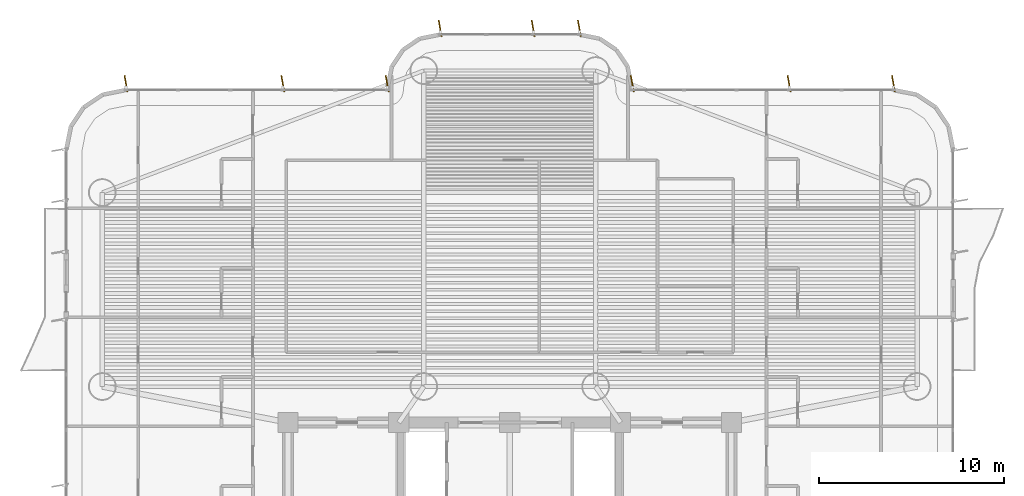
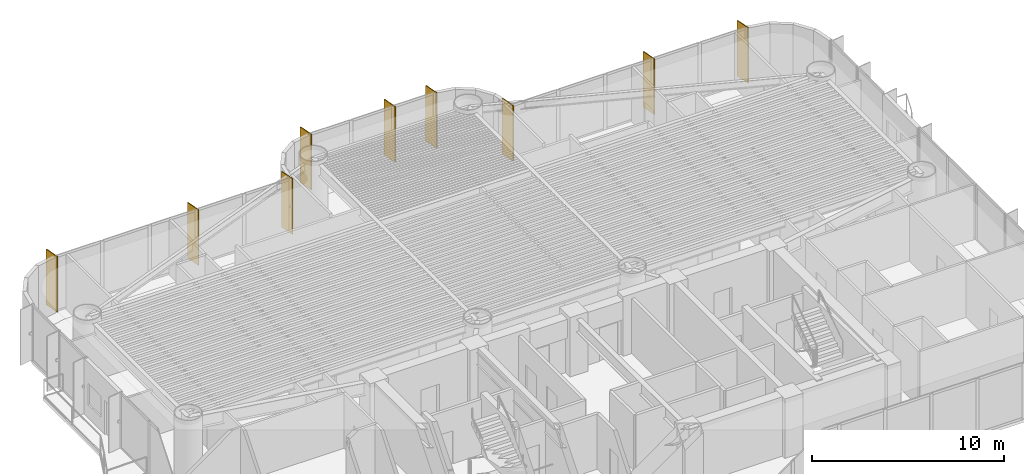
# One storey, part 18 of 18: 9 shading devices.
"""IFC4 building model written with IfcOpenShell, lengths in metres."""

from ifc_helpers import new_model, si_unit, direction, frame, origin, origin_2d, place, context, subcontext, project, spatial, rectangle, extrude, source, transform, mapped, material, material_profile, profile_set, type_object, element, save


model = new_model("IFC4")

# Units and contexts
model_context = context("Model", 3, precision=1e-05, world=origin(), true_north=direction((0.0, 1.0)))
body_context = subcontext(model_context, "Body", "Model", "MODEL_VIEW")
ifc_project = project(units=[si_unit("LENGTHUNIT", "METRE"), si_unit("AREAUNIT", "SQUARE_METRE"), si_unit("VOLUMEUNIT", "CUBIC_METRE"), si_unit("PLANEANGLEUNIT", "RADIAN"), si_unit("MASSUNIT", "GRAM", prefix="KILO")], contexts=[model_context])

# Site, building, storey
site_placement = place(None, origin())
site = spatial("IfcSite", under=ifc_project, at=site_placement, CompositionType="ELEMENT")
building_placement = place(site_placement, origin())
building = spatial("IfcBuilding", under=site, at=building_placement, Name="Brelvock Crest Care Tower", CompositionType="ELEMENT")
storey_placement = place(building_placement, frame((0.0, 0.0, 38.340087890625)))
storey = spatial("IfcBuildingStorey", under=building, at=storey_placement, Name="L09", CompositionType="ELEMENT", Elevation=38.340087890625)

# Shading devices
ifc_material = material(Name="Aluminium 6063-T6", Category="aluminium")
ifc_material_profile = material_profile(ifc_material, rectangle(XDim=0.054931640625, YDim=0.89990234375, at=origin_2d()), Name="FIN55x900")
ifc_profile_set = profile_set([ifc_material_profile], Name="Aluminium 6063-T6")
shading_device_type = type_object("IfcShadingDeviceType", Name="SHD-FIN1", PredefinedType="USERDEFINED", material=ifc_profile_set)
shared_shape = source(origin(), body_context, "Body", "SweptSolid", [
    extrude(rectangle(XDim=0.054931640625, YDim=0.89990234375, at=origin_2d()), origin(), (0.0, 0.0, 1.0), 3.530029296875),
])
for number, where, z_axis, x_axis, name in (
    (1, (15.232421875, 36.340087890625, 0.0), (0.0, 0.0, 1.0), (0.984807753012, 0.173648177667, 0.0), "L09 Vertical Sunshade Fin E18-01"),
    (2, (23.719970703125, 36.340087890625, 0.0), (0.0, 0.0, 1.0), (0.984807753012, 0.173648177667, 0.0), "L09 Vertical Sunshade Fin E18-04"),
    (3, (29.367431640625, 36.340087890625, 0.0), (0.0, 0.0, 1.0), (0.984807753012, 0.173648177667, 0.0), "L09 Vertical Sunshade Fin E18-06"),
    (4, (32.232421875, 39.340087890625, 0.0), (0.0, 0.0, 1.0), (0.984807753012, 0.173648177667, 0.0), "L09 Vertical Sunshade Fin E24-01"),
    (5, (37.2666015625, 39.340087890625, 0.0), (0.0, 0.0, 1.0), (0.984807753012, 0.173648177667, 0.0), "L09 Vertical Sunshade Fin E24-03"),
    (6, (39.767578125, 39.340087890625, 0.0), (0.0, 0.0, 1.0), (0.984807753012, 0.173648177667, 0.0), "L09 Vertical Sunshade Fin E24-04"),
    (7, (42.632568359375, 36.340087890625, 0.0), (0.0, 0.0, 1.0), (0.984807753012, 0.173648177667, 0.0), "L09 Vertical Sunshade Fin E30-01"),
    (8, (51.1201171875, 36.340087890625, 0.0), (0.0, 0.0, 1.0), (0.984807753012, 0.173648177667, 0.0), "L09 Vertical Sunshade Fin E30-04"),
    (9, (56.767578125, 36.340087890625, 0.0), (0.0, 0.0, 1.0), (0.984807753012, 0.173648177667, 0.0), "L09 Vertical Sunshade Fin E30-06"),
):
    element("IfcShadingDevice", number, at=place(storey_placement, frame(where, z_axis=z_axis, x_axis=x_axis)), inside=storey, type_object=shading_device_type, Name=name, ObjectType="FIN", PredefinedType="USERDEFINED", context=body_context, shape_type="MappedRepresentation", body=[
        mapped(shared_shape, transform((0.0, 0.0, 0.0), x_axis=(1.0, 0.0, 0.0), y_axis=(0.0, 1.0, 0.0), z_axis=(0.0, 0.0, 1.0), scale=1.0)),
    ])

save(model, "model.ifc")
